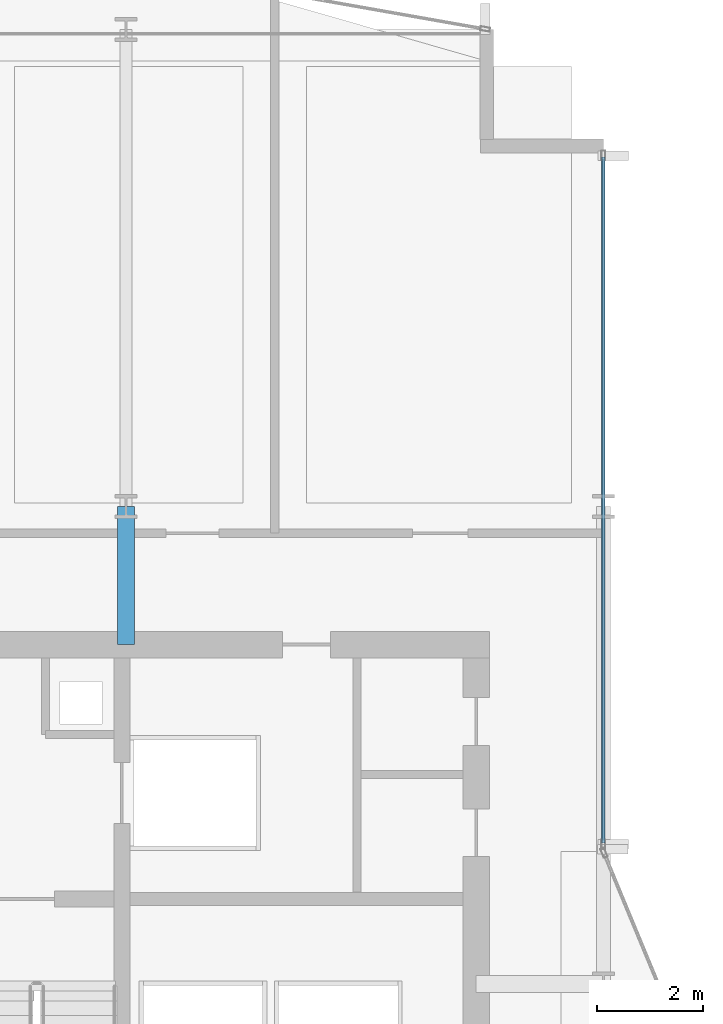
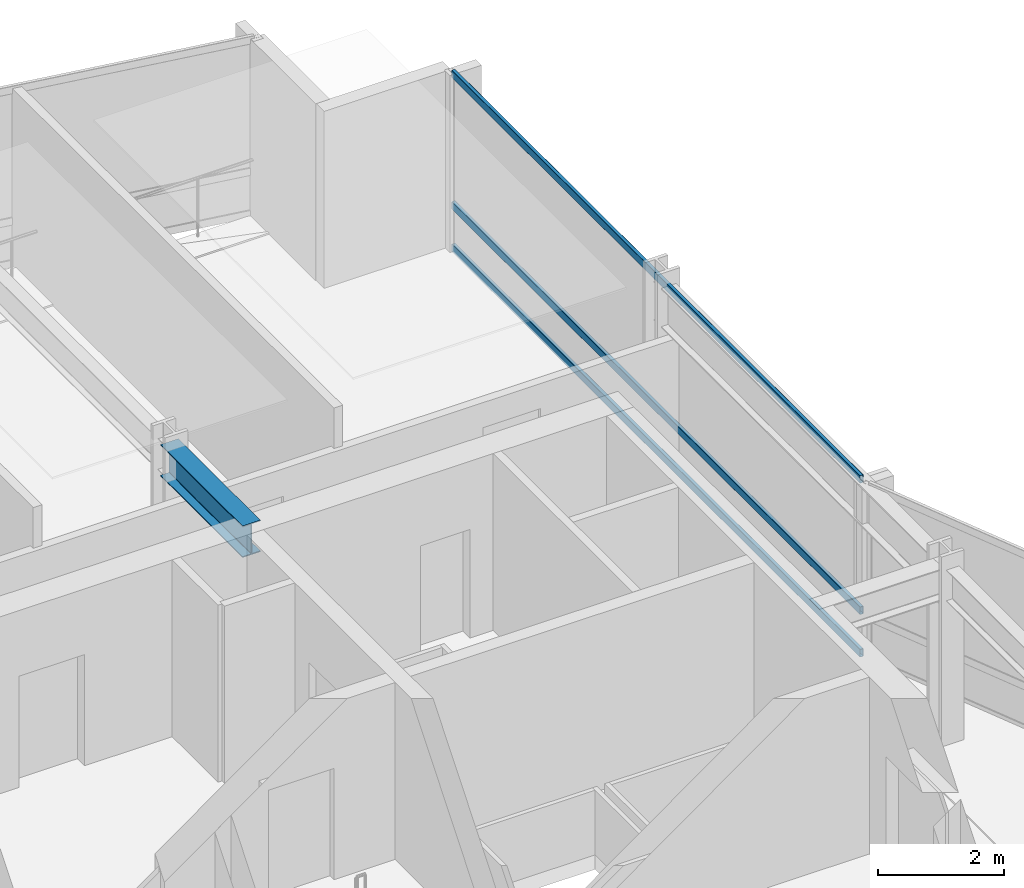
# One storey, part 18 of 29: 3 members, 1 beam, 1 element without a shape of its own.
"""IFC4 building model written with IfcOpenShell, lengths in metres."""

from ifc_helpers import new_model, si_unit, direction, frame, origin, origin_2d, place, context, subcontext, project, spatial, hollow_rectangle, i_section, extrude, material, layer, layer_set, material_profile, profile_set, type_object, element, aggregate, save


model = new_model("IFC4")

# Units and contexts
model_context = context("Model", 3, precision=1e-05, world=origin(), true_north=direction((0.0, 1.0)))
body_context = subcontext(model_context, "Body", "Model", "MODEL_VIEW")
ifc_project = project(units=[si_unit("LENGTHUNIT", "METRE"), si_unit("AREAUNIT", "SQUARE_METRE"), si_unit("VOLUMEUNIT", "CUBIC_METRE"), si_unit("PLANEANGLEUNIT", "RADIAN"), si_unit("MASSUNIT", "GRAM", prefix="KILO")], contexts=[model_context])

# Site, building, storey
site_placement = place(None, origin())
site = spatial("IfcSite", under=ifc_project, at=site_placement, CompositionType="ELEMENT")
building_placement = place(site_placement, origin())
building = spatial("IfcBuilding", under=site, at=building_placement, Name="Solvaryn Broadcast Tower", CompositionType="ELEMENT")
storey_placement = place(building_placement, frame((0.0, 0.0, 128.5)))
storey = spatial("IfcBuildingStorey", under=building, at=storey_placement, Name="L31", CompositionType="ELEMENT", Elevation=128.5)

# Beam
ifc_material_1 = material(Name="Steel ASTM A992 Grade 50", Category="steel")
ifc_material_profile_1 = material_profile(ifc_material_1, i_section(OverallWidth=0.323974609375, OverallDepth=0.611083984375, WebThickness=0.0126953125, FlangeThickness=0.01904296875, FilletRadius=0.014892578125, at=origin_2d()))
ifc_profile_set_1 = profile_set([ifc_material_profile_1], Name="Steel ASTM A992 Grade 50")
beam_type = type_object("IfcBeamType", Name="BM-B1-W24X104", PredefinedType="BEAM", material=ifc_profile_set_1)
beam_placement = place(storey_placement, frame((18.0, 42.39990234375, 3.114501953125), z_axis=(0.0, 1.0, 0.0), x_axis=(-1.0, 0.0, 0.0)))
element("IfcBeam", 1, at=beam_placement, inside=storey, type_object=beam_type, Name="L31 Core Tie Beam CTW3", PredefinedType="BEAM", context=body_context, shape_type="SweptSolid", body=[
    extrude(i_section(OverallWidth=0.323974609375, OverallDepth=0.611083984375, WebThickness=0.0126953125, FlangeThickness=0.01904296875, FilletRadius=0.014892578125, at=origin_2d()), origin(), (0.0, 0.0, 1.0), 2.60009765625),
])

# Curtain wall, members
ifc_material_2 = material(Name="Aluminium and Terracotta Unitised Curtain Wall", Category="masonry")
ifc_layer = layer(ifc_material_2, 0.199951171875)
ifc_layer_set = layer_set([ifc_layer], Name="CW-SYS2-LOWMID")
curtain_wall_type = type_object("IfcCurtainWallType", Name="CW-SYS2-LOWMID", PredefinedType="NOTDEFINED", material=ifc_layer_set)
curtain_wall_placement = place(storey_placement, origin())
curtain_wall = element("IfcCurtainWall", 2, at=curtain_wall_placement, inside=storey, type_object=curtain_wall_type, Name="L31 Curtain Wall IV", PredefinedType="NOTDEFINED")
ifc_material_3 = material(Name="Anodised Aluminium 6063-T6", Category="aluminium")
ifc_material_profile_2 = material_profile(ifc_material_3, hollow_rectangle(XDim=0.06494140625, YDim=0.14990234375, WallThickness=0.00390625, InnerFilletRadius=0.00390625, OuterFilletRadius=0.008056640625, at=origin_2d()))
ifc_profile_set_2 = profile_set([ifc_material_profile_2], Name="Anodised Aluminium 6063-T6")
member_type = type_object("IfcMemberType", Name="CW-TRN-150", PredefinedType="USERDEFINED", material=ifc_profile_set_2)
member_1_placement = place(storey_placement, frame((27.0, 51.590087890625, 0.030029296875), z_axis=(0.0, -1.0, 0.0), x_axis=(1.0, 0.0, 0.0)))
member_1 = element("IfcMember", 3, at=member_1_placement, type_object=member_type, Name="CWS2 transom 1.1", ObjectType="TRANSOM", PredefinedType="USERDEFINED", context=body_context, shape_type="SweptSolid", body=[
    extrude(hollow_rectangle(XDim=0.06494140625, YDim=0.14990234375, WallThickness=0.00390625, InnerFilletRadius=0.00390625, OuterFilletRadius=0.008056640625, at=origin_2d()), origin(), (0.0, 0.0, 1.0), 12.93017578125),
])
member_2_placement = place(storey_placement, frame((27.0, 51.590087890625, 0.85009765625), z_axis=(0.0, -1.0, 0.0), x_axis=(1.0, 0.0, 0.0)))
member_2 = element("IfcMember", 4, at=member_2_placement, type_object=member_type, Name="CWS2 transom 1.2", ObjectType="TRANSOM", PredefinedType="USERDEFINED", context=body_context, shape_type="SweptSolid", body=[
    extrude(hollow_rectangle(XDim=0.06494140625, YDim=0.14990234375, WallThickness=0.00390625, InnerFilletRadius=0.00390625, OuterFilletRadius=0.008056640625, at=origin_2d()), origin(), (0.0, 0.0, 1.0), 12.93017578125),
])
member_3_placement = place(storey_placement, frame((27.0, 51.590087890625, 3.389892578125), z_axis=(0.0, -1.0, 0.0), x_axis=(1.0, 0.0, 0.0)))
member_3 = element("IfcMember", 5, at=member_3_placement, type_object=member_type, Name="CWS2 transom 1.3", ObjectType="TRANSOM", PredefinedType="USERDEFINED", context=body_context, shape_type="SweptSolid", body=[
    extrude(hollow_rectangle(XDim=0.06494140625, YDim=0.14990234375, WallThickness=0.00390625, InnerFilletRadius=0.00390625, OuterFilletRadius=0.008056640625, at=origin_2d()), origin(), (0.0, 0.0, 1.0), 12.93017578125),
])
aggregate(curtain_wall, [member_1, member_2, member_3])

save(model, "model.ifc")
